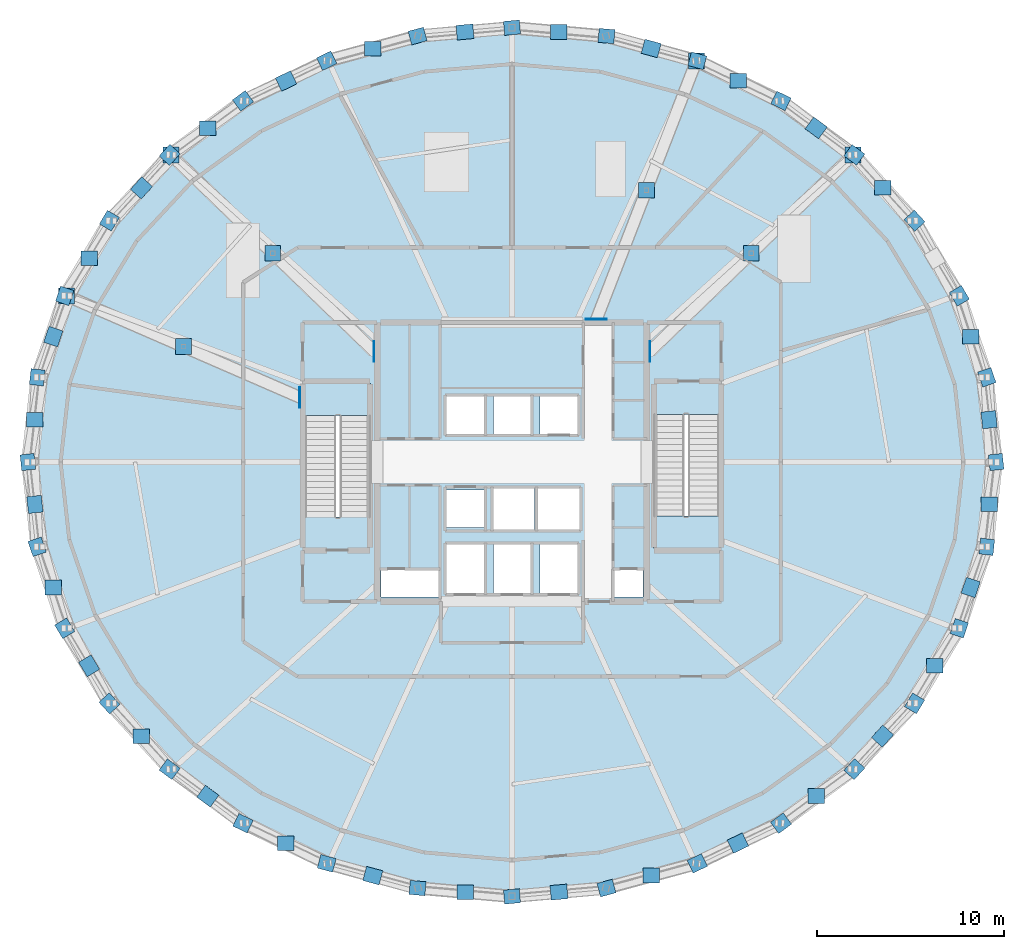
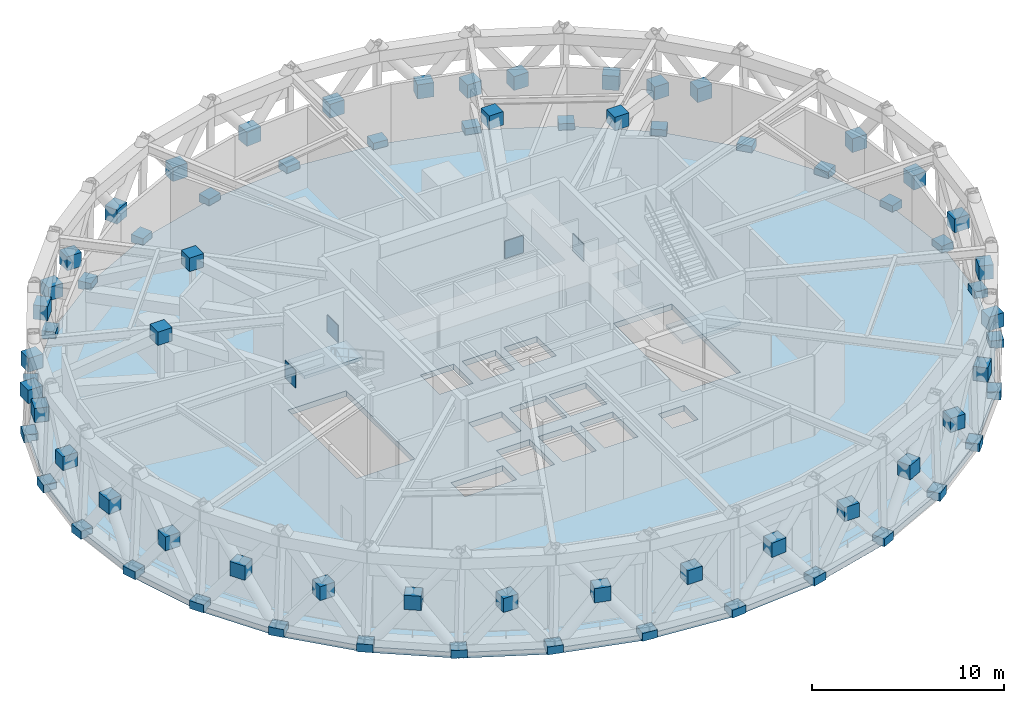
# One storey, part 7 of 15: 75 plates, 3 slabs, 2 elements without a shape of their own.
"""IFC4 building model written with IfcOpenShell, lengths in metres."""

from ifc_helpers import new_model, si_unit, direction, frame, origin, origin_2d, place, context, subcontext, project, spatial, polyline, rectangle, outline, extrude, material, layer, layer_set, type_object, element, aggregate, save


model = new_model("IFC4")

# Units and contexts
model_context = context("Model", 3, precision=1e-05, world=origin(), true_north=direction((0.0, 1.0)))
body_context = subcontext(model_context, "Body", "Model", "MODEL_VIEW")
ifc_project = project(units=[si_unit("LENGTHUNIT", "METRE"), si_unit("AREAUNIT", "SQUARE_METRE"), si_unit("VOLUMEUNIT", "CUBIC_METRE"), si_unit("PLANEANGLEUNIT", "RADIAN"), si_unit("MASSUNIT", "GRAM", prefix="KILO")], contexts=[model_context])

# Site, building, storey
site_placement = place(None, origin())
site = spatial("IfcSite", under=ifc_project, at=site_placement, CompositionType="ELEMENT")
building_placement = place(site_placement, origin())
building = spatial("IfcBuilding", under=site, at=building_placement, Name="Veldorina Hangang Commons", CompositionType="ELEMENT")
storey_placement = place(building_placement, frame((0.0, 0.0, 208.39990234375)))
storey = spatial("IfcBuildingStorey", under=building, at=storey_placement, Name="L54", CompositionType="ELEMENT", Elevation=208.39990234375)

# Plates
ifc_material_1 = material(Name="Steel SM490-TMC", Category="steel")
ifc_layer_1 = layer(ifc_material_1, 0.044921875)
ifc_layer_set_1 = layer_set([ifc_layer_1], Name="Steel SM490-TMC")
plate_type_1 = type_object("IfcPlateType", Name="PL-NODE-45", PredefinedType="SHEET", material=ifc_layer_set_1)
plate_1_placement = place(storey_placement, frame((39.3701171875, 29.89990234375, 2.300048828125), z_axis=(0.0, 0.0, 1.0), x_axis=(1.0, 0.0, 0.0)))
element("IfcPlate", 1, at=plate_1_placement, inside=storey, type_object=plate_type_1, Name="L54 outrigger cast-in wall embed plate 01", PredefinedType="SHEET", context=body_context, shape_type="SweptSolid", body=[
    extrude(rectangle(XDim=0.044921875, YDim=1.10009765625, at=origin_2d()), origin(), (0.0, 0.0, 1.0), 1.10009765625),
])
for number, where, z_axis, x_axis, name in (
    (2, (44.773193359375, 35.147216796875, 5.5849609375), (0.0, 0.0, 1.0), (1.0, 0.0, 0.0), "L54 outrigger node plate 01-MD"),
    (3, (50.196533203125, 40.39453125, 2.425048828125), (0.0, 0.0, 1.0), (1.0, 0.0, 0.0), "L54 outrigger node plate 01-OT"),
):
    element("IfcPlate", number, at=place(storey_placement, frame(where, z_axis=z_axis, x_axis=x_axis)), inside=storey, type_object=plate_type_1, Name=name, PredefinedType="SHEET", context=body_context, shape_type="SweptSolid", body=[
        extrude(rectangle(XDim=0.85009765625, YDim=0.85009765625, at=origin_2d()), origin(), (0.0, 0.0, 1.0), 0.85009765625),
    ])
plate_2_placement = place(storey_placement, frame((36.5, 31.6201171875, 2.300048828125), z_axis=(0.0, 0.0, 1.0), x_axis=(1.0, 0.0, 0.0)))
element("IfcPlate", 4, at=plate_2_placement, inside=storey, type_object=plate_type_1, Name="L54 outrigger cast-in wall embed plate 02", PredefinedType="SHEET", context=body_context, shape_type="SweptSolid", body=[
    extrude(rectangle(XDim=1.10009765625, YDim=0.044921875, at=origin_2d()), origin(), (0.0, 0.0, 1.0), 1.10009765625),
])
for number, where, z_axis, x_axis, name in (
    (5, (39.174072265625, 38.51025390625, 5.5849609375), (0.0, 0.0, 1.0), (1.0, 0.0, 0.0), "L54 outrigger node plate 02-MD"),
    (6, (41.847900390625, 45.420654296875, 2.425048828125), (0.0, 0.0, 1.0), (1.0, 0.0, 0.0), "L54 outrigger node plate 02-OT"),
):
    element("IfcPlate", number, at=place(storey_placement, frame(where, z_axis=z_axis, x_axis=x_axis)), inside=storey, type_object=plate_type_1, Name=name, PredefinedType="SHEET", context=body_context, shape_type="SweptSolid", body=[
        extrude(rectangle(XDim=0.85009765625, YDim=0.85009765625, at=origin_2d()), origin(), (0.0, 0.0, 1.0), 0.85009765625),
    ])
plate_3_placement = place(storey_placement, frame((24.6298828125, 29.89990234375, 2.300048828125), z_axis=(0.0, 0.0, 1.0), x_axis=(1.0, 0.0, 0.0)))
element("IfcPlate", 7, at=plate_3_placement, inside=storey, type_object=plate_type_1, Name="L54 outrigger cast-in wall embed plate 03", PredefinedType="SHEET", context=body_context, shape_type="SweptSolid", body=[
    extrude(rectangle(XDim=0.044921875, YDim=1.10009765625, at=origin_2d()), origin(), (0.0, 0.0, 1.0), 1.10009765625),
])
for number, where, z_axis, x_axis, name in (
    (8, (19.226806640625, 35.147216796875, 5.5849609375), (0.0, 0.0, 1.0), (1.0, 0.0, 0.0), "L54 outrigger node plate 03-MD"),
    (9, (13.803466796875, 40.39453125, 2.425048828125), (0.0, 0.0, 1.0), (1.0, 0.0, 0.0), "L54 outrigger node plate 03-OT"),
):
    element("IfcPlate", number, at=place(storey_placement, frame(where, z_axis=z_axis, x_axis=x_axis)), inside=storey, type_object=plate_type_1, Name=name, PredefinedType="SHEET", context=body_context, shape_type="SweptSolid", body=[
        extrude(rectangle(XDim=0.85009765625, YDim=0.85009765625, at=origin_2d()), origin(), (0.0, 0.0, 1.0), 0.85009765625),
    ])
plate_4_placement = place(storey_placement, frame((20.669921875, 27.449951171875, 2.300048828125), z_axis=(0.0, 0.0, 1.0), x_axis=(1.0, 0.0, 0.0)))
element("IfcPlate", 10, at=plate_4_placement, inside=storey, type_object=plate_type_1, Name="L54 outrigger cast-in wall embed plate 04", PredefinedType="SHEET", context=body_context, shape_type="SweptSolid", body=[
    extrude(rectangle(XDim=0.044921875, YDim=1.10009765625, at=origin_2d()), origin(), (0.0, 0.0, 1.0), 1.10009765625),
])
for number, where, z_axis, x_axis, name in (
    (11, (14.45751953125, 30.161376953125, 5.5849609375), (0.0, 0.0, 1.0), (1.0, 0.0, 0.0), "L54 outrigger node plate 04-MD"),
    (12, (8.22509765625, 32.872802734375, 2.425048828125), (0.0, 0.0, 1.0), (1.0, 0.0, 0.0), "L54 outrigger node plate 04-OT"),
):
    element("IfcPlate", number, at=place(storey_placement, frame(where, z_axis=z_axis, x_axis=x_axis)), inside=storey, type_object=plate_type_1, Name=name, PredefinedType="SHEET", context=body_context, shape_type="SweptSolid", body=[
        extrude(rectangle(XDim=0.85009765625, YDim=0.85009765625, at=origin_2d()), origin(), (0.0, 0.0, 1.0), 0.85009765625),
    ])
ifc_material_2 = material(Name="Steel SM460-TMC", Category="steel")
ifc_layer_2 = layer(ifc_material_2, 0.035888671875)
ifc_layer_set_2 = layer_set([ifc_layer_2], Name="Steel SM460-TMC")
plate_type_2 = type_object("IfcPlateType", Name="PL-STAR-36", PredefinedType="USERDEFINED", material=ifc_layer_set_2)
plate_5_placement = place(storey_placement, frame((57.84912109375, 24.0, -0.08984375), z_axis=(0.0, 0.0, 1.0), x_axis=(-0.109127114459, 0.994027802876, 0.0)))
element("IfcPlate", 13, at=plate_5_placement, inside=storey, type_object=plate_type_2, Name="L54 diagrid star-node gusset plate 00", ObjectType="GUSSET PLATE", PredefinedType="USERDEFINED", context=body_context, shape_type="SweptSolid", body=[
    extrude(rectangle(XDim=0.85009765625, YDim=0.75, at=origin_2d()), origin(), (0.0, 0.0, 1.0), 0.5),
])
plate_6_placement = place(storey_placement, frame((57.4736328125, 26.26171875, 2.751220703125), z_axis=(0.0, 0.0, 1.0), x_axis=(-0.109127114459, 0.994027802876, 0.0)))
element("IfcPlate", 14, at=plate_6_placement, inside=storey, type_object=plate_type_2, Name="L54 diagrid X-crossing star-node gusset plate 00", ObjectType="GUSSET PLATE", PredefinedType="USERDEFINED", context=body_context, shape_type="SweptSolid", body=[
    extrude(rectangle(XDim=0.89990234375, YDim=0.780029296875, at=origin_2d()), origin(), (0.0, 0.0, 1.0), 0.89990234375),
])
for number, where, z_axis, x_axis, name in (
    (15, (57.3525390625, 28.5244140625, -0.08984375), (0.0, 0.0, 1.0), (-0.320315399884, 0.947310954543, 0.0), "L54 diagrid star-node gusset plate 01"),
    (16, (55.881591796875, 32.874755859375, -0.08984375), (0.0, 0.0, 1.0), (-0.511817972151, 0.859093920002, 0.0), "L54 diagrid star-node gusset plate 02"),
    (17, (53.492919921875, 36.88427734375, -0.08984375), (0.0, 0.0, 1.0), (-0.674959432699, 0.737854839525, 0.0), "L54 diagrid star-node gusset plate 03"),
    (18, (50.278076171875, 40.3984375, -0.08984375), (0.0, 0.0, 1.0), (-0.805266494535, 0.592913039813, 0.0), "L54 diagrid star-node gusset plate 04"),
):
    element("IfcPlate", number, at=place(storey_placement, frame(where, z_axis=z_axis, x_axis=x_axis)), inside=storey, type_object=plate_type_2, Name=name, ObjectType="GUSSET PLATE", PredefinedType="USERDEFINED", context=body_context, shape_type="SweptSolid", body=[
        extrude(rectangle(XDim=0.85009765625, YDim=0.75, at=origin_2d()), origin(), (0.0, 0.0, 1.0), 0.5),
    ])
plate_7_placement = place(storey_placement, frame((48.24072265625, 41.84033203125, 2.7607421875), z_axis=(0.0, 0.0, 1.0), x_axis=(-0.805266494535, 0.592913039813, 0.0)))
element("IfcPlate", 19, at=plate_7_placement, inside=storey, type_object=plate_type_2, Name="L54 diagrid X-crossing star-node gusset plate 04", ObjectType="GUSSET PLATE", PredefinedType="USERDEFINED", context=body_context, shape_type="SweptSolid", body=[
    extrude(rectangle(XDim=0.89990234375, YDim=0.780029296875, at=origin_2d()), origin(), (0.0, 0.0, 1.0), 0.89990234375),
])
for number, where, z_axis, x_axis, name in (
    (20, (46.361083984375, 43.282470703125, -0.08984375), (0.0, 0.0, 1.0), (-0.901681645086, 0.432400521409, 0.0), "L54 diagrid star-node gusset plate 05"),
    (21, (41.89208984375, 45.425537109375, -0.08984375), (0.0, 0.0, 1.0), (-0.964906584268, 0.262593380791, 0.0), "L54 diagrid star-node gusset plate 06"),
):
    element("IfcPlate", number, at=place(storey_placement, frame(where, z_axis=z_axis, x_axis=x_axis)), inside=storey, type_object=plate_type_2, Name=name, ObjectType="GUSSET PLATE", PredefinedType="USERDEFINED", context=body_context, shape_type="SweptSolid", body=[
        extrude(rectangle(XDim=0.85009765625, YDim=0.75, at=origin_2d()), origin(), (0.0, 0.0, 1.0), 0.5),
    ])
plate_8_placement = place(storey_placement, frame((39.4306640625, 46.08251953125, 2.76513671875), z_axis=(0.0, 0.0, 1.0), x_axis=(-0.964906584268, 0.262593380791, 0.0)))
element("IfcPlate", 22, at=plate_8_placement, inside=storey, type_object=plate_type_2, Name="L54 diagrid X-crossing star-node gusset plate 06", ObjectType="GUSSET PLATE", PredefinedType="USERDEFINED", context=body_context, shape_type="SweptSolid", body=[
    extrude(rectangle(XDim=0.89990234375, YDim=0.780029296875, at=origin_2d()), origin(), (0.0, 0.0, 1.0), 0.89990234375),
])
for number, where, z_axis, x_axis, name in (
    (23, (37.04296875, 46.745361328125, -0.08984375), (0.0, 0.0, 1.0), (-0.996118261045, 0.088025053325, 0.0), "L54 diagrid star-node gusset plate 07"),
    (24, (32.0, 47.19091796875, -0.08984375), (0.0, 0.0, 1.0), (-0.996118261045, -0.088025053325, 0.0), "L54 diagrid star-node gusset plate 08"),
):
    element("IfcPlate", number, at=place(storey_placement, frame(where, z_axis=z_axis, x_axis=x_axis)), inside=storey, type_object=plate_type_2, Name=name, ObjectType="GUSSET PLATE", PredefinedType="USERDEFINED", context=body_context, shape_type="SweptSolid", body=[
        extrude(rectangle(XDim=0.85009765625, YDim=0.75, at=origin_2d()), origin(), (0.0, 0.0, 1.0), 0.5),
    ])
plate_9_placement = place(storey_placement, frame((29.4912109375, 46.9609375, 2.76611328125), z_axis=(0.0, 0.0, 1.0), x_axis=(-0.996118261045, -0.088025053325, 0.0)))
element("IfcPlate", 25, at=plate_9_placement, inside=storey, type_object=plate_type_2, Name="L54 diagrid X-crossing star-node gusset plate 08", ObjectType="GUSSET PLATE", PredefinedType="USERDEFINED", context=body_context, shape_type="SweptSolid", body=[
    extrude(rectangle(XDim=0.89990234375, YDim=0.780029296875, at=origin_2d()), origin(), (0.0, 0.0, 1.0), 0.89990234375),
])
for number, where, z_axis, x_axis, name in (
    (26, (26.95703125, 46.745361328125, -0.08984375), (0.0, 0.0, 1.0), (-0.964906584268, -0.262593380791, 0.0), "L54 diagrid star-node gusset plate 09"),
    (27, (22.10791015625, 45.425537109375, -0.08984375), (0.0, 0.0, 1.0), (-0.901681645086, -0.432400521409, 0.0), "L54 diagrid star-node gusset plate 10"),
):
    element("IfcPlate", number, at=place(storey_placement, frame(where, z_axis=z_axis, x_axis=x_axis)), inside=storey, type_object=plate_type_2, Name=name, ObjectType="GUSSET PLATE", PredefinedType="USERDEFINED", context=body_context, shape_type="SweptSolid", body=[
        extrude(rectangle(XDim=0.85009765625, YDim=0.75, at=origin_2d()), origin(), (0.0, 0.0, 1.0), 0.5),
    ])
plate_10_placement = place(storey_placement, frame((19.9365234375, 44.344482421875, 2.763427734375), z_axis=(0.0, 0.0, 1.0), x_axis=(-0.901681645086, -0.432400521409, 0.0)))
element("IfcPlate", 28, at=plate_10_placement, inside=storey, type_object=plate_type_2, Name="L54 diagrid X-crossing star-node gusset plate 10", ObjectType="GUSSET PLATE", PredefinedType="USERDEFINED", context=body_context, shape_type="SweptSolid", body=[
    extrude(rectangle(XDim=0.89990234375, YDim=0.780029296875, at=origin_2d()), origin(), (0.0, 0.0, 1.0), 0.89990234375),
])
for number, where, z_axis, x_axis, name in (
    (29, (17.638916015625, 43.282470703125, -0.08984375), (0.0, 0.0, 1.0), (-0.805266494535, -0.592913039813, 0.0), "L54 diagrid star-node gusset plate 11"),
    (30, (13.721923828125, 40.3984375, -0.08984375), (0.0, 0.0, 1.0), (-0.674959432699, -0.737854839525, 0.0), "L54 diagrid star-node gusset plate 12"),
):
    element("IfcPlate", number, at=place(storey_placement, frame(where, z_axis=z_axis, x_axis=x_axis)), inside=storey, type_object=plate_type_2, Name=name, ObjectType="GUSSET PLATE", PredefinedType="USERDEFINED", context=body_context, shape_type="SweptSolid", body=[
        extrude(rectangle(XDim=0.85009765625, YDim=0.75, at=origin_2d()), origin(), (0.0, 0.0, 1.0), 0.5),
    ])
plate_11_placement = place(storey_placement, frame((12.21875, 38.6337890625, 2.758056640625), z_axis=(0.0, 0.0, 1.0), x_axis=(-0.674959432699, -0.737854839525, 0.0)))
element("IfcPlate", 31, at=plate_11_placement, inside=storey, type_object=plate_type_2, Name="L54 diagrid X-crossing star-node gusset plate 12", ObjectType="GUSSET PLATE", PredefinedType="USERDEFINED", context=body_context, shape_type="SweptSolid", body=[
    extrude(rectangle(XDim=0.89990234375, YDim=0.780029296875, at=origin_2d()), origin(), (0.0, 0.0, 1.0), 0.89990234375),
])
for number, where, z_axis, x_axis, name in (
    (32, (10.507080078125, 36.88427734375, -0.08984375), (0.0, 0.0, 1.0), (-0.511817972151, -0.859093920002, 0.0), "L54 diagrid star-node gusset plate 13"),
    (33, (8.118408203125, 32.874755859375, -0.08984375), (0.0, 0.0, 1.0), (-0.320315399884, -0.947310954543, 0.0), "L54 diagrid star-node gusset plate 14"),
):
    element("IfcPlate", number, at=place(storey_placement, frame(where, z_axis=z_axis, x_axis=x_axis)), inside=storey, type_object=plate_type_2, Name=name, ObjectType="GUSSET PLATE", PredefinedType="USERDEFINED", context=body_context, shape_type="SweptSolid", body=[
        extrude(rectangle(XDim=0.85009765625, YDim=0.75, at=origin_2d()), origin(), (0.0, 0.0, 1.0), 0.5),
    ])
plate_12_placement = place(storey_placement, frame((7.509521484375, 30.69677734375, 2.75244140625), z_axis=(0.0, 0.0, 1.0), x_axis=(-0.320315399884, -0.947310954543, 0.0)))
element("IfcPlate", 34, at=plate_12_placement, inside=storey, type_object=plate_type_2, Name="L54 diagrid X-crossing star-node gusset plate 14", ObjectType="GUSSET PLATE", PredefinedType="USERDEFINED", context=body_context, shape_type="SweptSolid", body=[
    extrude(rectangle(XDim=0.89990234375, YDim=0.780029296875, at=origin_2d()), origin(), (0.0, 0.0, 1.0), 0.89990234375),
])
for number, where, z_axis, x_axis, name in (
    (35, (6.6474609375, 28.5244140625, -0.08984375), (0.0, 0.0, 1.0), (-0.109127114459, -0.994027802876, 0.0), "L54 diagrid star-node gusset plate 15"),
    (36, (6.15087890625, 24.0, -0.08984375), (0.0, 0.0, 1.0), (0.109127114459, -0.994027802876, 0.0), "L54 diagrid star-node gusset plate 16"),
):
    element("IfcPlate", number, at=place(storey_placement, frame(where, z_axis=z_axis, x_axis=x_axis)), inside=storey, type_object=plate_type_2, Name=name, ObjectType="GUSSET PLATE", PredefinedType="USERDEFINED", context=body_context, shape_type="SweptSolid", body=[
        extrude(rectangle(XDim=0.85009765625, YDim=0.75, at=origin_2d()), origin(), (0.0, 0.0, 1.0), 0.5),
    ])
plate_13_placement = place(storey_placement, frame((6.5263671875, 21.73828125, 2.751220703125), z_axis=(0.0, 0.0, 1.0), x_axis=(0.109127114459, -0.994027802876, 0.0)))
element("IfcPlate", 37, at=plate_13_placement, inside=storey, type_object=plate_type_2, Name="L54 diagrid X-crossing star-node gusset plate 16", ObjectType="GUSSET PLATE", PredefinedType="USERDEFINED", context=body_context, shape_type="SweptSolid", body=[
    extrude(rectangle(XDim=0.89990234375, YDim=0.780029296875, at=origin_2d()), origin(), (0.0, 0.0, 1.0), 0.89990234375),
])
for number, where, z_axis, x_axis, name in (
    (38, (6.6474609375, 19.4755859375, -0.08984375), (0.0, 0.0, 1.0), (0.320315399884, -0.947310954543, 0.0), "L54 diagrid star-node gusset plate 17"),
    (39, (8.118408203125, 15.125244140625, -0.08984375), (0.0, 0.0, 1.0), (0.511817972151, -0.859093920002, 0.0), "L54 diagrid star-node gusset plate 18"),
):
    element("IfcPlate", number, at=place(storey_placement, frame(where, z_axis=z_axis, x_axis=x_axis)), inside=storey, type_object=plate_type_2, Name=name, ObjectType="GUSSET PLATE", PredefinedType="USERDEFINED", context=body_context, shape_type="SweptSolid", body=[
        extrude(rectangle(XDim=0.85009765625, YDim=0.75, at=origin_2d()), origin(), (0.0, 0.0, 1.0), 0.5),
    ])
plate_14_placement = place(storey_placement, frame((9.422607421875, 13.120849609375, 2.7548828125), z_axis=(0.0, 0.0, 1.0), x_axis=(0.511817972151, -0.859093920002, 0.0)))
element("IfcPlate", 40, at=plate_14_placement, inside=storey, type_object=plate_type_2, Name="L54 diagrid X-crossing star-node gusset plate 18", ObjectType="GUSSET PLATE", PredefinedType="USERDEFINED", context=body_context, shape_type="SweptSolid", body=[
    extrude(rectangle(XDim=0.89990234375, YDim=0.780029296875, at=origin_2d()), origin(), (0.0, 0.0, 1.0), 0.89990234375),
])
for number, where, z_axis, x_axis, name in (
    (41, (10.507080078125, 11.11572265625, -0.08984375), (0.0, 0.0, 1.0), (0.674959432699, -0.737854839525, 0.0), "L54 diagrid star-node gusset plate 19"),
    (42, (13.721923828125, 7.6015625, -0.08984375), (0.0, 0.0, 1.0), (0.805266494535, -0.592913039813, 0.0), "L54 diagrid star-node gusset plate 20"),
):
    element("IfcPlate", number, at=place(storey_placement, frame(where, z_axis=z_axis, x_axis=x_axis)), inside=storey, type_object=plate_type_2, Name=name, ObjectType="GUSSET PLATE", PredefinedType="USERDEFINED", context=body_context, shape_type="SweptSolid", body=[
        extrude(rectangle(XDim=0.85009765625, YDim=0.75, at=origin_2d()), origin(), (0.0, 0.0, 1.0), 0.5),
    ])
plate_15_placement = place(storey_placement, frame((15.75927734375, 6.15966796875, 2.7607421875), z_axis=(0.0, 0.0, 1.0), x_axis=(0.805266494535, -0.592913039813, 0.0)))
element("IfcPlate", 43, at=plate_15_placement, inside=storey, type_object=plate_type_2, Name="L54 diagrid X-crossing star-node gusset plate 20", ObjectType="GUSSET PLATE", PredefinedType="USERDEFINED", context=body_context, shape_type="SweptSolid", body=[
    extrude(rectangle(XDim=0.89990234375, YDim=0.780029296875, at=origin_2d()), origin(), (0.0, 0.0, 1.0), 0.89990234375),
])
for number, where, z_axis, x_axis, name in (
    (44, (17.638916015625, 4.717529296875, -0.08984375), (0.0, 0.0, 1.0), (0.901681645086, -0.432400521409, 0.0), "L54 diagrid star-node gusset plate 21"),
    (45, (22.10791015625, 2.574462890625, -0.08984375), (0.0, 0.0, 1.0), (0.964906584268, -0.262593380791, 0.0), "L54 diagrid star-node gusset plate 22"),
):
    element("IfcPlate", number, at=place(storey_placement, frame(where, z_axis=z_axis, x_axis=x_axis)), inside=storey, type_object=plate_type_2, Name=name, ObjectType="GUSSET PLATE", PredefinedType="USERDEFINED", context=body_context, shape_type="SweptSolid", body=[
        extrude(rectangle(XDim=0.85009765625, YDim=0.75, at=origin_2d()), origin(), (0.0, 0.0, 1.0), 0.5),
    ])
plate_16_placement = place(storey_placement, frame((24.5693359375, 1.91748046875, 2.76513671875), z_axis=(0.0, 0.0, 1.0), x_axis=(0.964906584268, -0.262593380791, 0.0)))
element("IfcPlate", 46, at=plate_16_placement, inside=storey, type_object=plate_type_2, Name="L54 diagrid X-crossing star-node gusset plate 22", ObjectType="GUSSET PLATE", PredefinedType="USERDEFINED", context=body_context, shape_type="SweptSolid", body=[
    extrude(rectangle(XDim=0.89990234375, YDim=0.780029296875, at=origin_2d()), origin(), (0.0, 0.0, 1.0), 0.89990234375),
])
for number, where, z_axis, x_axis, name in (
    (47, (26.95703125, 1.254638671875, -0.08984375), (0.0, 0.0, 1.0), (0.996118261045, -0.088025053325, 0.0), "L54 diagrid star-node gusset plate 23"),
    (48, (32.0, 0.80908203125, -0.08984375), (0.0, 0.0, 1.0), (0.996118261045, 0.088025053325, 0.0), "L54 diagrid star-node gusset plate 24"),
):
    element("IfcPlate", number, at=place(storey_placement, frame(where, z_axis=z_axis, x_axis=x_axis)), inside=storey, type_object=plate_type_2, Name=name, ObjectType="GUSSET PLATE", PredefinedType="USERDEFINED", context=body_context, shape_type="SweptSolid", body=[
        extrude(rectangle(XDim=0.85009765625, YDim=0.75, at=origin_2d()), origin(), (0.0, 0.0, 1.0), 0.5),
    ])
plate_17_placement = place(storey_placement, frame((34.5087890625, 1.0390625, 2.76611328125), z_axis=(0.0, 0.0, 1.0), x_axis=(0.996118261045, 0.088025053325, 0.0)))
element("IfcPlate", 49, at=plate_17_placement, inside=storey, type_object=plate_type_2, Name="L54 diagrid X-crossing star-node gusset plate 24", ObjectType="GUSSET PLATE", PredefinedType="USERDEFINED", context=body_context, shape_type="SweptSolid", body=[
    extrude(rectangle(XDim=0.89990234375, YDim=0.780029296875, at=origin_2d()), origin(), (0.0, 0.0, 1.0), 0.89990234375),
])
for number, where, z_axis, x_axis, name in (
    (50, (37.04296875, 1.254638671875, -0.08984375), (0.0, 0.0, 1.0), (0.964906584268, 0.262593380791, 0.0), "L54 diagrid star-node gusset plate 25"),
    (51, (41.89208984375, 2.574462890625, -0.08984375), (0.0, 0.0, 1.0), (0.901681645086, 0.432400521409, 0.0), "L54 diagrid star-node gusset plate 26"),
):
    element("IfcPlate", number, at=place(storey_placement, frame(where, z_axis=z_axis, x_axis=x_axis)), inside=storey, type_object=plate_type_2, Name=name, ObjectType="GUSSET PLATE", PredefinedType="USERDEFINED", context=body_context, shape_type="SweptSolid", body=[
        extrude(rectangle(XDim=0.85009765625, YDim=0.75, at=origin_2d()), origin(), (0.0, 0.0, 1.0), 0.5),
    ])
plate_18_placement = place(storey_placement, frame((44.0634765625, 3.655517578125, 2.763427734375), z_axis=(0.0, 0.0, 1.0), x_axis=(0.901681645086, 0.432400521409, 0.0)))
element("IfcPlate", 52, at=plate_18_placement, inside=storey, type_object=plate_type_2, Name="L54 diagrid X-crossing star-node gusset plate 26", ObjectType="GUSSET PLATE", PredefinedType="USERDEFINED", context=body_context, shape_type="SweptSolid", body=[
    extrude(rectangle(XDim=0.89990234375, YDim=0.780029296875, at=origin_2d()), origin(), (0.0, 0.0, 1.0), 0.89990234375),
])
for number, where, z_axis, x_axis, name in (
    (53, (46.361083984375, 4.717529296875, -0.08984375), (0.0, 0.0, 1.0), (0.805266494535, 0.592913039813, 0.0), "L54 diagrid star-node gusset plate 27"),
    (54, (50.278076171875, 7.6015625, -0.08984375), (0.0, 0.0, 1.0), (0.674959432699, 0.737854839525, 0.0), "L54 diagrid star-node gusset plate 28"),
):
    element("IfcPlate", number, at=place(storey_placement, frame(where, z_axis=z_axis, x_axis=x_axis)), inside=storey, type_object=plate_type_2, Name=name, ObjectType="GUSSET PLATE", PredefinedType="USERDEFINED", context=body_context, shape_type="SweptSolid", body=[
        extrude(rectangle(XDim=0.85009765625, YDim=0.75, at=origin_2d()), origin(), (0.0, 0.0, 1.0), 0.5),
    ])
plate_19_placement = place(storey_placement, frame((51.78125, 9.3662109375, 2.758056640625), z_axis=(0.0, 0.0, 1.0), x_axis=(0.674959432699, 0.737854839525, 0.0)))
element("IfcPlate", 55, at=plate_19_placement, inside=storey, type_object=plate_type_2, Name="L54 diagrid X-crossing star-node gusset plate 28", ObjectType="GUSSET PLATE", PredefinedType="USERDEFINED", context=body_context, shape_type="SweptSolid", body=[
    extrude(rectangle(XDim=0.89990234375, YDim=0.780029296875, at=origin_2d()), origin(), (0.0, 0.0, 1.0), 0.89990234375),
])
for number, where, z_axis, x_axis, name in (
    (56, (53.492919921875, 11.11572265625, -0.08984375), (0.0, 0.0, 1.0), (0.511817972151, 0.859093920002, 0.0), "L54 diagrid star-node gusset plate 29"),
    (57, (55.881591796875, 15.125244140625, -0.08984375), (0.0, 0.0, 1.0), (0.320315399884, 0.947310954543, 0.0), "L54 diagrid star-node gusset plate 30"),
):
    element("IfcPlate", number, at=place(storey_placement, frame(where, z_axis=z_axis, x_axis=x_axis)), inside=storey, type_object=plate_type_2, Name=name, ObjectType="GUSSET PLATE", PredefinedType="USERDEFINED", context=body_context, shape_type="SweptSolid", body=[
        extrude(rectangle(XDim=0.85009765625, YDim=0.75, at=origin_2d()), origin(), (0.0, 0.0, 1.0), 0.5),
    ])
plate_20_placement = place(storey_placement, frame((56.490478515625, 17.30322265625, 2.75244140625), z_axis=(0.0, 0.0, 1.0), x_axis=(0.320315399884, 0.947310954543, 0.0)))
element("IfcPlate", 58, at=plate_20_placement, inside=storey, type_object=plate_type_2, Name="L54 diagrid X-crossing star-node gusset plate 30", ObjectType="GUSSET PLATE", PredefinedType="USERDEFINED", context=body_context, shape_type="SweptSolid", body=[
    extrude(rectangle(XDim=0.89990234375, YDim=0.780029296875, at=origin_2d()), origin(), (0.0, 0.0, 1.0), 0.89990234375),
])
plate_21_placement = place(storey_placement, frame((57.3525390625, 19.4755859375, -0.08984375), z_axis=(0.0, 0.0, 1.0), x_axis=(0.109127114459, 0.994027802876, 0.0)))
element("IfcPlate", 59, at=plate_21_placement, inside=storey, type_object=plate_type_2, Name="L54 diagrid star-node gusset plate 31", ObjectType="GUSSET PLATE", PredefinedType="USERDEFINED", context=body_context, shape_type="SweptSolid", body=[
    extrude(rectangle(XDim=0.85009765625, YDim=0.75, at=origin_2d()), origin(), (0.0, 0.0, 1.0), 0.5),
])
for number, where, z_axis, x_axis, name in (
    (60, (56.49658203125, 30.698974609375, 2.762451171875), (0.0, 0.0, 1.0), (1.0, 0.0, 0.0), "L54 belt truss X-crossing gusset 01"),
    (61, (51.789794921875, 38.641357421875, 2.76806640625), (0.0, 0.0, 1.0), (1.0, 0.0, 0.0), "L54 belt truss X-crossing gusset 03"),
    (62, (44.0673828125, 44.352783203125, 2.7734375), (0.0, 0.0, 1.0), (1.0, 0.0, 0.0), "L54 belt truss X-crossing gusset 05"),
    (63, (34.5087890625, 46.963134765625, 2.776123046875), (0.0, 0.0, 1.0), (1.0, 0.0, 0.0), "L54 belt truss X-crossing gusset 07"),
    (64, (24.57080078125, 46.07666015625, 2.775146484375), (0.0, 0.0, 1.0), (1.0, 0.0, 0.0), "L54 belt truss X-crossing gusset 09"),
    (65, (15.765869140625, 41.831298828125, 2.770751953125), (0.0, 0.0, 1.0), (1.0, 0.0, 0.0), "L54 belt truss X-crossing gusset 11"),
    (66, (9.430908203125, 34.874267578125, 2.764892578125), (0.0, 0.0, 1.0), (1.0, 0.0, 0.0), "L54 belt truss X-crossing gusset 13"),
    (67, (6.52880859375, 26.261474609375, 2.76123046875), (0.0, 0.0, 1.0), (1.0, 0.0, 0.0), "L54 belt truss X-crossing gusset 15"),
    (68, (7.50341796875, 17.301025390625, 2.762451171875), (0.0, 0.0, 1.0), (1.0, 0.0, 0.0), "L54 belt truss X-crossing gusset 17"),
    (69, (12.210205078125, 9.358642578125, 2.76806640625), (0.0, 0.0, 1.0), (1.0, 0.0, 0.0), "L54 belt truss X-crossing gusset 19"),
    (70, (19.9326171875, 3.647216796875, 2.7734375), (0.0, 0.0, 1.0), (1.0, 0.0, 0.0), "L54 belt truss X-crossing gusset 21"),
    (71, (29.4912109375, 1.036865234375, 2.776123046875), (0.0, 0.0, 1.0), (1.0, 0.0, 0.0), "L54 belt truss X-crossing gusset 23"),
    (72, (39.42919921875, 1.92333984375, 2.775146484375), (0.0, 0.0, 1.0), (1.0, 0.0, 0.0), "L54 belt truss X-crossing gusset 25"),
    (73, (48.234130859375, 6.168701171875, 2.770751953125), (0.0, 0.0, 1.0), (1.0, 0.0, 0.0), "L54 belt truss X-crossing gusset 27"),
    (74, (54.569091796875, 13.125732421875, 2.764892578125), (0.0, 0.0, 1.0), (1.0, 0.0, 0.0), "L54 belt truss X-crossing gusset 29"),
    (75, (57.47119140625, 21.738525390625, 2.76123046875), (0.0, 0.0, 1.0), (1.0, 0.0, 0.0), "L54 belt truss X-crossing gusset 31"),
):
    element("IfcPlate", number, at=place(storey_placement, frame(where, z_axis=z_axis, x_axis=x_axis)), inside=storey, type_object=plate_type_2, Name=name, ObjectType="GUSSET PLATE", PredefinedType="USERDEFINED", context=body_context, shape_type="SweptSolid", body=[
        extrude(rectangle(XDim=0.8798828125, YDim=0.780029296875, at=origin_2d()), origin(), (0.0, 0.0, 1.0), 0.8798828125),
    ])

# Slab
ifc_material_3 = material(Name="Concrete C50/60", Category="concrete")
ifc_layer_3 = layer(ifc_material_3, 0.360107421875)
ifc_layer_set_3 = layer_set([ifc_layer_3], Name="Concrete C50/60")
slab_type_1 = type_object("IfcSlabType", Name="SL-FLR-360", PredefinedType="FLOOR", material=ifc_layer_set_3)
slab_1_placement = place(storey_placement, frame((0.0, 0.0, -0.35986328125)))
element("IfcSlab", 76, at=slab_1_placement, inside=storey, type_object=slab_type_1, Name="L54 tower structural floor slab", PredefinedType="FLOOR", context=body_context, shape_type="SweptSolid", body=[
    extrude(outline(polyline([(57.84912109375, 24.0), (57.3525390625, 28.5244140625), (55.881591796875, 32.874755859375), (53.492919921875, 36.88427734375), (50.278076171875, 40.3984375), (46.361083984375, 43.282470703125), (41.89208984375, 45.425537109375), (37.04296875, 46.745361328125), (32.0, 47.19091796875), (26.95703125, 46.745361328125), (22.10791015625, 45.425537109375), (17.638916015625, 43.282470703125), (13.721923828125, 40.3984375), (10.507080078125, 36.88427734375), (8.118408203125, 32.874755859375), (6.6474609375, 28.5244140625), (6.15087890625, 24.0), (6.6474609375, 19.4755859375), (8.118408203125, 15.125244140625), (10.507080078125, 11.11572265625), (13.721923828125, 7.6015625), (17.638916015625, 4.717529296875), (22.10791015625, 2.574462890625), (26.95703125, 1.254638671875), (32.0, 0.80908203125), (37.04296875, 1.254638671875), (41.89208984375, 2.574462890625), (46.361083984375, 4.717529296875), (50.278076171875, 7.6015625), (53.492919921875, 11.11572265625), (55.881591796875, 15.125244140625), (57.3525390625, 19.4755859375), (57.84912109375, 24.0)]), holes=[polyline([(20.949951171875, 21.05810546875), (20.949951171875, 28.199951171875), (24.449951171875, 28.199951171875), (24.449951171875, 21.05810546875), (20.949951171875, 21.05810546875)]), polyline([(43.050048828125, 26.5419921875), (43.050048828125, 19.39990234375), (39.550048828125, 19.39990234375), (39.550048828125, 26.5419921875), (43.050048828125, 26.5419921875)]), polyline([(28.5, 27.5), (30.5, 27.5), (30.5, 25.5), (28.5, 25.5), (28.5, 27.5)]), polyline([(31.0, 27.5), (33.0, 27.5), (33.0, 25.5), (31.0, 25.5), (31.0, 27.5)]), polyline([(33.5, 27.5), (35.5, 27.5), (35.5, 25.5), (33.5, 25.5), (33.5, 27.5)]), polyline([(28.5, 22.5), (30.5, 22.5), (30.5, 20.5), (28.5, 20.5), (28.5, 22.5)]), polyline([(31.0, 22.60009765625), (33.199951171875, 22.60009765625), (33.199951171875, 20.39990234375), (31.0, 20.39990234375), (31.0, 22.60009765625)]), polyline([(33.39990234375, 22.60009765625), (35.60009765625, 22.60009765625), (35.60009765625, 20.39990234375), (33.39990234375, 20.39990234375), (33.39990234375, 22.60009765625)]), polyline([(28.5, 19.60009765625), (30.5, 19.60009765625), (30.5, 17.0), (28.5, 17.0), (28.5, 19.60009765625)]), polyline([(31.0, 19.60009765625), (33.0, 19.60009765625), (33.0, 17.0), (31.0, 17.0), (31.0, 19.60009765625)]), polyline([(33.5, 19.60009765625), (35.5, 19.60009765625), (35.5, 17.0), (33.5, 17.0), (33.5, 19.60009765625)]), polyline([(25.0, 18.25), (28.10009765625, 18.25), (28.10009765625, 16.800048828125), (25.0, 16.800048828125), (25.0, 18.25)]), polyline([(37.449951171875, 18.25), (39.0, 18.25), (39.0, 16.800048828125), (37.449951171875, 16.800048828125), (37.449951171875, 18.25)])]), origin(), (0.0, 0.0, 1.0), 0.35986328125),
])

# Stair, slab
ifc_material_4 = material(Name="Concrete C40/50", Category="concrete")
stair_type = type_object("IfcStairType", Name="STR-DOG-1650-36R", PredefinedType="HALF_TURN_STAIR", material=ifc_material_4)
stair_1_placement = place(storey_placement, origin())
stair_1 = element("IfcStair", 77, at=stair_1_placement, inside=storey, type_object=stair_type, Name="L54 Exit stair ST-1", PredefinedType="HALF_TURN_STAIR")
ifc_layer_4 = layer(ifc_material_4, 0.199951171875)
ifc_layer_set_4 = layer_set([ifc_layer_4], Name="Concrete C40/50")
slab_type_2 = type_object("IfcSlabType", Name="SL-LND-200", PredefinedType="LANDING", material=ifc_layer_set_4)
slab_2_placement = place(storey_placement, frame((0.0, 0.0, 3.0)))
slab_2 = element("IfcSlab", 78, at=slab_2_placement, type_object=slab_type_2, Name="ST-1 landing 1", PredefinedType="LANDING", context=body_context, shape_type="SweptSolid", body=[
    extrude(outline(polyline([(24.449951171875, 26.489990234375), (24.449951171875, 28.199951171875), (20.949951171875, 28.199951171875), (20.949951171875, 26.489990234375), (24.449951171875, 26.489990234375)])), origin(), (0.0, 0.0, 1.0), 0.2001953125),
])
aggregate(stair_1, [slab_2])

stair_2_placement = place(storey_placement, origin())
stair_2 = element("IfcStair", 79, at=stair_2_placement, inside=storey, type_object=stair_type, Name="L54 Exit stair ST-2", PredefinedType="HALF_TURN_STAIR")
slab_3_placement = place(storey_placement, frame((0.0, 0.0, 3.0)))
slab_3 = element("IfcSlab", 80, at=slab_3_placement, type_object=slab_type_2, Name="ST-2 landing 1", PredefinedType="LANDING", context=body_context, shape_type="SweptSolid", body=[
    extrude(outline(polyline([(39.550048828125, 21.110107421875), (39.550048828125, 19.39990234375), (43.050048828125, 19.39990234375), (43.050048828125, 21.110107421875), (39.550048828125, 21.110107421875)])), origin(), (0.0, 0.0, 1.0), 0.2001953125),
])
aggregate(stair_2, [slab_3])

save(model, "model.ifc")
